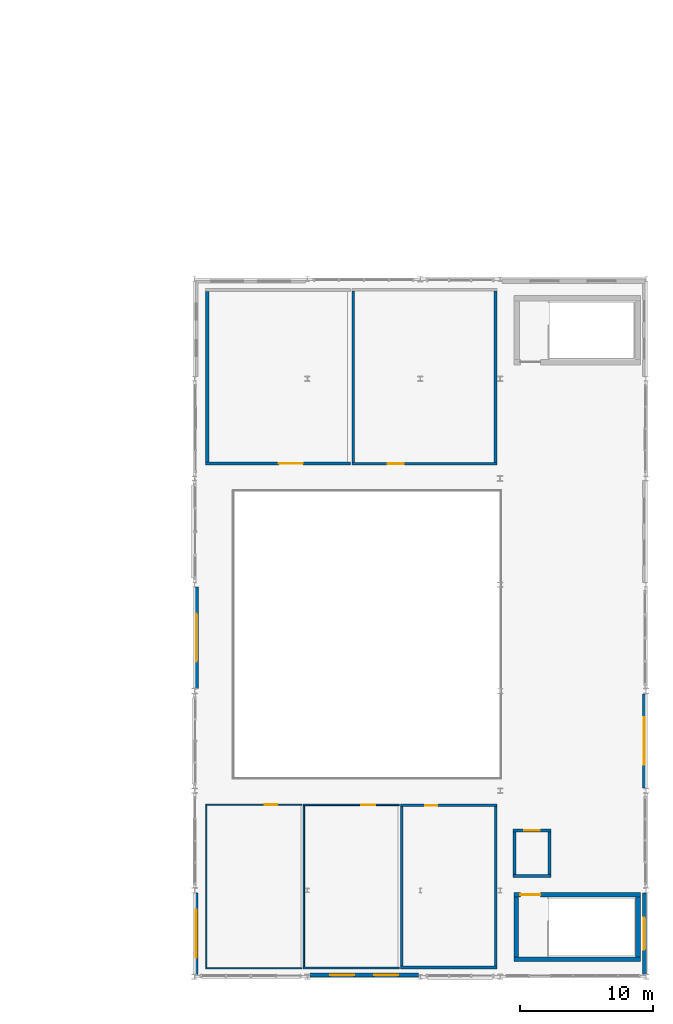
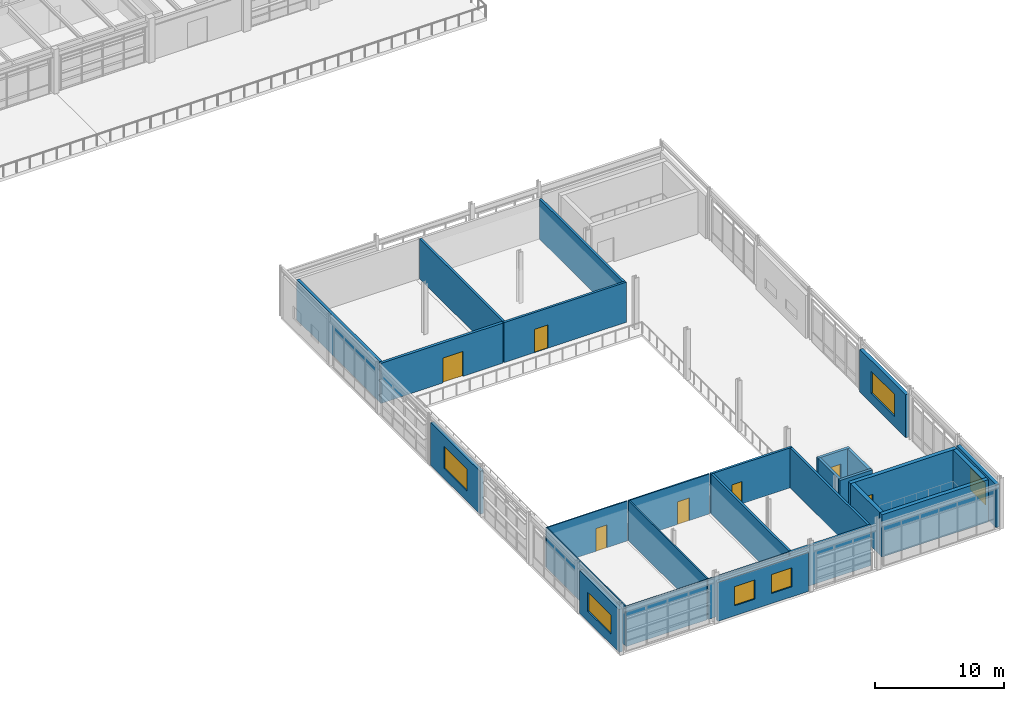
# One storey, part 49 of 56: 28 walls, 7 doors, 6 windows, 13 openings.
"""IFC4 building model written with IfcOpenShell, lengths in metres."""

from ifc_helpers import new_model, si_unit, direction, frame, frame_2d, origin, place, context, subcontext, project, spatial, rectangle, extrude, material, layer, layer_set, type_object, element, fill, save


model = new_model("IFC4")

# Units and contexts
model_context = context("Model", 3, precision=1e-05, world=origin(), true_north=direction((0.0, 1.0)))
body_context = subcontext(model_context, "Body", "Model", "MODEL_VIEW")
ifc_project = project(units=[si_unit("LENGTHUNIT", "METRE"), si_unit("AREAUNIT", "SQUARE_METRE"), si_unit("VOLUMEUNIT", "CUBIC_METRE"), si_unit("PLANEANGLEUNIT", "RADIAN"), si_unit("MASSUNIT", "GRAM", prefix="KILO"), si_unit("THERMODYNAMICTEMPERATUREUNIT", "KELVIN"), si_unit("POWERUNIT", "WATT")], contexts=[model_context])

# Site, building, storey
site_placement = place(None, origin())
site = spatial("IfcSite", under=ifc_project, at=site_placement, CompositionType="ELEMENT")
building_placement = place(site_placement, origin())
building = spatial("IfcBuilding", under=site, at=building_placement, Name="Tepalcoro Natatorium and Aquatics Centre", CompositionType="ELEMENT")
storey_placement = place(building_placement, frame((0.0, 0.0, 14.800048828125)))
storey = spatial("IfcBuildingStorey", under=building, at=storey_placement, Name="L03", CompositionType="ELEMENT", Elevation=14.800048828125)

# Wall, openings, windows
ifc_material_1 = material(Name="Precast Concrete C45/55 (fc 45 MPa)", Category="concrete")
ifc_layer_1 = layer(ifc_material_1, 0.284912109375)
ifc_layer_set_1 = layer_set([ifc_layer_1], Name="Precast Concrete C45/55 (fc 45 MPa)")
wall_type_1 = type_object("IfcWallType", Name="WL_EXT_INSUL_280", PredefinedType="SOLIDWALL", material=ifc_layer_set_1)
wall_1_placement = place(storey_placement, frame((150.70458984375, 6.642578125, 0.0), z_axis=(0.0, 0.0, 1.0), x_axis=(1.0, 0.0, 0.0)))
wall_1 = element("IfcWall", 1, at=wall_1_placement, inside=storey, type_object=wall_type_1, Name="V2 L03 S Volcanic Basalt Envelope Wall", PredefinedType="SOLIDWALL", context=body_context, shape_type="SweptSolid", body=[
    extrude(rectangle(XDim=8.136474609375, YDim=0.284912109375, at=frame_2d((4.068359375, 0.0))), origin(), (0.0, 0.0, 1.0), 3.683837890625),
])
opening_1_placement = place(wall_1_placement, frame((1.51220703125, 0.0, 0.949951171875)))
opening_1 = element("IfcOpeningElement", 2, at=opening_1_placement, cuts=wall_1, Name="Opening W0044A", PredefinedType="OPENING", context=body_context, shape_type="SweptSolid", body=[
    extrude(rectangle(XDim=1.800048828125, YDim=1.800048828125, at=frame_2d((0.89990234375, 0.89990234375))), frame((0.0, 0.154296875, 0.0), z_axis=(0.0, -1.0, 0.0), x_axis=(1.0, 0.0, 0.0)), (0.0, 0.0, 1.0), 0.308837890625),
])
opening_2_placement = place(wall_1_placement, frame((4.82421875, 0.0, 0.949951171875)))
opening_2 = element("IfcOpeningElement", 3, at=opening_2_placement, cuts=wall_1, Name="Opening W0044B", PredefinedType="OPENING", context=body_context, shape_type="SweptSolid", body=[
    extrude(rectangle(XDim=1.800048828125, YDim=1.800048828125, at=frame_2d((0.89990234375, 0.89990234375))), frame((0.0, 0.154296875, 0.0), z_axis=(0.0, -1.0, 0.0), x_axis=(1.0, 0.0, 0.0)), (0.0, 0.0, 1.0), 0.308837890625),
])
ifc_material_2 = material(Name="Solar-Control Bronze Tempered Low-E Double Glazing", Category="glass")
window_type_1 = type_object("IfcWindowType", Name="WN_180x180", PartitioningType="SINGLE_PANEL", PredefinedType="WINDOW", material=ifc_material_2)
window_1_placement = place(opening_1_placement, origin())
window_1 = element("IfcWindow", 4, at=window_1_placement, inside=storey, type_object=window_type_1, Name="Exterior Thermal Window WN_180x180", OverallHeight=1.800048828125, OverallWidth=1.800048828125, PartitioningType="SINGLE_PANEL", PredefinedType="WINDOW", context=body_context, shape_type="SweptSolid", body=[
    extrude(rectangle(XDim=1.800048828125, YDim=1.800048828125, at=frame_2d((0.89990234375, 0.89990234375))), frame((0.0, 0.030029296875, 0.0), z_axis=(0.0, -1.0, 0.0), x_axis=(1.0, 0.0, 0.0)), (0.0, 0.0, 1.0), 0.06005859375),
])
fill(opening_1, window_1)
window_2_placement = place(opening_2_placement, origin())
window_2 = element("IfcWindow", 5, at=window_2_placement, inside=storey, type_object=window_type_1, Name="Exterior Thermal Window WN_180x180", OverallHeight=1.800048828125, OverallWidth=1.800048828125, PartitioningType="SINGLE_PANEL", PredefinedType="WINDOW", context=body_context, shape_type="SweptSolid", body=[
    extrude(rectangle(XDim=1.800048828125, YDim=1.800048828125, at=frame_2d((0.89990234375, 0.89990234375))), frame((0.0, 0.030029296875, 0.0), z_axis=(0.0, -1.0, 0.0), x_axis=(1.0, 0.0, 0.0)), (0.0, 0.0, 1.0), 0.06005859375),
])
fill(opening_2, window_2)

# Wall, opening, window
wall_2_placement = place(storey_placement, frame((142.142578125, 6.68798828125, 0.0), z_axis=(0.0, 0.0, 1.0), x_axis=(0.0, 1.0, 0.0)))
wall_2 = element("IfcWall", 6, at=wall_2_placement, inside=storey, type_object=wall_type_1, Name="V2 L03 W Volcanic Basalt Envelope Wall", PredefinedType="SOLIDWALL", context=body_context, shape_type="SweptSolid", body=[
    extrude(rectangle(XDim=6.1201171875, YDim=0.284912109375, at=frame_2d((3.06005859375, 0.0))), origin(), (0.0, 0.0, 1.0), 4.050048828125),
])
opening_3_placement = place(wall_2_placement, frame((1.260009765625, 0.0, 0.949951171875)))
opening_3 = element("IfcOpeningElement", 7, at=opening_3_placement, cuts=wall_2, Name="Opening W0047", PredefinedType="OPENING", context=body_context, shape_type="SweptSolid", body=[
    extrude(rectangle(XDim=3.60009765625, YDim=1.800048828125, at=frame_2d((1.800048828125, 0.89990234375))), frame((0.0, 0.154296875, 0.0), z_axis=(0.0, -1.0, 0.0), x_axis=(1.0, 0.0, 0.0)), (0.0, 0.0, 1.0), 0.308837890625),
])
window_type_2 = type_object("IfcWindowType", Name="WN_360x180", PartitioningType="SINGLE_PANEL", PredefinedType="WINDOW", material=ifc_material_2)
window_3_placement = place(opening_3_placement, origin())
window_3 = element("IfcWindow", 8, at=window_3_placement, inside=storey, type_object=window_type_2, Name="Exterior Thermal Window WN_360x180", OverallHeight=1.800048828125, OverallWidth=3.60009765625, PartitioningType="SINGLE_PANEL", PredefinedType="WINDOW", context=body_context, shape_type="SweptSolid", body=[
    extrude(rectangle(XDim=3.60009765625, YDim=1.800048828125, at=frame_2d((1.800048828125, 0.89990234375))), frame((0.0, 0.030029296875, 0.0), z_axis=(0.0, -1.0, 0.0), x_axis=(1.0, 0.0, 0.0)), (0.0, 0.0, 1.0), 0.06005859375),
])
fill(opening_3, window_3)

ifc_material_3 = material(Name="Jalisco Cantera Rosa Volcanic Tuff Ashlar Masonry", Category="masonry")
ifc_layer_2 = layer(ifc_material_3, 0.304931640625)
ifc_layer_set_2 = layer_set([ifc_layer_2], Name="Jalisco Cantera Rosa Volcanic Tuff Ashlar Masonry")
wall_type_2 = type_object("IfcWallType", Name="WL_EXT_TERRACOTTA_300", PredefinedType="SOLIDWALL", material=ifc_layer_set_2)
wall_3_placement = place(storey_placement, frame((142.152587890625, 28.20361328125, 0.0), z_axis=(0.0, 0.0, 1.0), x_axis=(0.0, 1.0, 0.0)))
wall_3 = element("IfcWall", 9, at=wall_3_placement, inside=storey, type_object=wall_type_2, Name="V2 L03 W Volcanic Basalt Envelope Wall", PredefinedType="SOLIDWALL", context=body_context, shape_type="SweptSolid", body=[
    extrude(rectangle(XDim=7.638916015625, YDim=0.304931640625, at=frame_2d((3.8193359375, 0.0))), origin(), (0.0, 0.0, 1.0), 4.050048828125),
])
opening_4_placement = place(wall_3_placement, frame((2.01953125, 0.0, 0.949951171875)))
opening_4 = element("IfcOpeningElement", 10, at=opening_4_placement, cuts=wall_3, Name="Opening W0048", PredefinedType="OPENING", context=body_context, shape_type="SweptSolid", body=[
    extrude(rectangle(XDim=3.60009765625, YDim=2.10009765625, at=frame_2d((1.800048828125, 1.050048828125))), frame((0.0, 0.16455078125, 0.0), z_axis=(0.0, -1.0, 0.0), x_axis=(1.0, 0.0, 0.0)), (0.0, 0.0, 1.0), 0.328857421875),
])
window_type_3 = type_object("IfcWindowType", Name="WN_360x210", PartitioningType="SINGLE_PANEL", PredefinedType="WINDOW", material=ifc_material_2)
window_4_placement = place(opening_4_placement, origin())
window_4 = element("IfcWindow", 11, at=window_4_placement, inside=storey, type_object=window_type_3, Name="Exterior Thermal Window WN_360x210", OverallHeight=2.10009765625, OverallWidth=3.60009765625, PartitioningType="SINGLE_PANEL", PredefinedType="WINDOW", context=body_context, shape_type="SweptSolid", body=[
    extrude(rectangle(XDim=3.60009765625, YDim=2.10009765625, at=frame_2d((1.800048828125, 1.050048828125))), frame((0.0, 0.030029296875, 0.0), z_axis=(0.0, -1.0, 0.0), x_axis=(1.0, 0.0, 0.0)), (0.0, 0.0, 1.0), 0.06005859375),
])
fill(opening_4, window_4)

wall_4_placement = place(storey_placement, frame((175.847412109375, 6.68798828125, 0.0), z_axis=(0.0, 0.0, 1.0), x_axis=(0.0, 1.0, 0.0)))
wall_4 = element("IfcWall", 12, at=wall_4_placement, inside=storey, type_object=wall_type_2, Name="V2 L03 E Volcanic Basalt Envelope Wall", PredefinedType="SOLIDWALL", context=body_context, shape_type="SweptSolid", body=[
    extrude(rectangle(XDim=6.1201171875, YDim=0.304931640625, at=frame_2d((3.06005859375, 0.0))), origin(), (0.0, 0.0, 1.0), 4.050048828125),
])
opening_5_placement = place(wall_4_placement, frame((1.860107421875, 0.0, 0.949951171875)))
opening_5 = element("IfcOpeningElement", 13, at=opening_5_placement, cuts=wall_4, Name="Opening W0050", PredefinedType="OPENING", context=body_context, shape_type="SweptSolid", body=[
    extrude(rectangle(XDim=2.39990234375, YDim=2.10009765625, at=frame_2d((1.199951171875, 1.050048828125))), frame((0.0, 0.16455078125, 0.0), z_axis=(0.0, -1.0, 0.0), x_axis=(1.0, 0.0, 0.0)), (0.0, 0.0, 1.0), 0.328857421875),
])
window_type_4 = type_object("IfcWindowType", Name="WN_240x210", PartitioningType="SINGLE_PANEL", PredefinedType="WINDOW", material=ifc_material_2)
window_5_placement = place(opening_5_placement, origin())
window_5 = element("IfcWindow", 14, at=window_5_placement, inside=storey, type_object=window_type_4, Name="Exterior Thermal Window WN_240x210", OverallHeight=2.10009765625, OverallWidth=2.39990234375, PartitioningType="SINGLE_PANEL", PredefinedType="WINDOW", context=body_context, shape_type="SweptSolid", body=[
    extrude(rectangle(XDim=2.39990234375, YDim=2.10009765625, at=frame_2d((1.199951171875, 1.050048828125))), frame((0.0, 0.030029296875, 0.0), z_axis=(0.0, -1.0, 0.0), x_axis=(1.0, 0.0, 0.0)), (0.0, 0.0, 1.0), 0.06005859375),
])
fill(opening_5, window_5)

wall_5_placement = place(storey_placement, frame((175.847412109375, 20.697021484375, 0.0), z_axis=(0.0, 0.0, 1.0), x_axis=(0.0, 1.0, 0.0)))
wall_5 = element("IfcWall", 15, at=wall_5_placement, inside=storey, type_object=wall_type_2, Name="V2 L03 E Volcanic Basalt Envelope Wall", PredefinedType="SOLIDWALL", context=body_context, shape_type="SweptSolid", body=[
    extrude(rectangle(XDim=7.099365234375, YDim=0.304931640625, at=frame_2d((3.5498046875, 0.0))), origin(), (0.0, 0.0, 1.0), 4.050048828125),
])
opening_6_placement = place(wall_5_placement, frame((1.749755859375, 0.0, 0.949951171875)))
opening_6 = element("IfcOpeningElement", 16, at=opening_6_placement, cuts=wall_5, Name="Opening W0051", PredefinedType="OPENING", context=body_context, shape_type="SweptSolid", body=[
    extrude(rectangle(XDim=3.60009765625, YDim=2.10009765625, at=frame_2d((1.800048828125, 1.050048828125))), frame((0.0, 0.16455078125, 0.0), z_axis=(0.0, -1.0, 0.0), x_axis=(1.0, 0.0, 0.0)), (0.0, 0.0, 1.0), 0.328857421875),
])
window_6_placement = place(opening_6_placement, origin())
window_6 = element("IfcWindow", 17, at=window_6_placement, inside=storey, type_object=window_type_3, Name="Exterior Thermal Window WN_360x210", OverallHeight=2.10009765625, OverallWidth=3.60009765625, PartitioningType="SINGLE_PANEL", PredefinedType="WINDOW", context=body_context, shape_type="SweptSolid", body=[
    extrude(rectangle(XDim=3.60009765625, YDim=2.10009765625, at=frame_2d((1.800048828125, 1.050048828125))), frame((0.0, 0.030029296875, 0.0), z_axis=(0.0, -1.0, 0.0), x_axis=(1.0, 0.0, 0.0)), (0.0, 0.0, 1.0), 0.06005859375),
])
fill(opening_6, window_6)

# Wall
ifc_material_4 = material(Name="Moisture-Resistant Acoustic Gypsum Drywall on Cold-Formed Metal Studs")
ifc_layer_3 = layer(ifc_material_4, 0.10009765625)
ifc_layer_set_3 = layer_set([ifc_layer_3], Name="Moisture-Resistant Acoustic Gypsum Drywall on Cold-Formed Metal Studs")
wall_type_3 = type_object("IfcWallType", Name="WL_PART_100", PredefinedType="PARTITIONING", material=ifc_layer_set_3)
wall_6_placement = place(storey_placement, frame((142.840087890625, 7.14990234375, 0.0), z_axis=(0.0, 0.0, 1.0), x_axis=(1.0, 0.0, 0.0)))
element("IfcWall", 18, at=wall_6_placement, inside=storey, type_object=wall_type_3, Name="High-Diving Aerial Spotting & Rigging Control Deck Partition S", PredefinedType="PARTITIONING", context=body_context, shape_type="SweptSolid", body=[
    extrude(rectangle(XDim=7.2529296875, YDim=0.10009765625, at=frame_2d((3.62646484375, 0.0))), origin(), (0.0, 0.0, 1.0), 3.784912109375),
])

# Wall, opening, door
wall_7_placement = place(storey_placement, frame((142.840087890625, 19.449951171875, 0.0), z_axis=(0.0, 0.0, 1.0), x_axis=(1.0, 0.0, 0.0)))
wall_7 = element("IfcWall", 19, at=wall_7_placement, inside=storey, type_object=wall_type_3, Name="High-Diving Aerial Spotting & Rigging Control Deck Partition N", PredefinedType="PARTITIONING", context=body_context, shape_type="SweptSolid", body=[
    extrude(rectangle(XDim=7.2529296875, YDim=0.10009765625, at=frame_2d((3.62646484375, 0.0))), origin(), (0.0, 0.0, 1.0), 3.784912109375),
])
opening_7_placement = place(wall_7_placement, frame((4.4521484375, 0.0, 0.0)))
opening_7 = element("IfcOpeningElement", 20, at=opening_7_placement, cuts=wall_7, Name="Opening D0177", PredefinedType="OPENING", context=body_context, shape_type="SweptSolid", body=[
    extrude(rectangle(XDim=0.949951171875, YDim=2.14990234375, at=frame_2d((0.47509765625, 1.074951171875))), frame((0.0, 0.06201171875, 0.0), z_axis=(0.0, -1.0, 0.0), x_axis=(1.0, 0.0, 0.0)), (0.0, 0.0, 1.0), 0.1240234375),
])
ifc_material_5 = material(Name="Solid-Core Moisture-Sealed Oak Timber Leaf in Aluminium Frame", Category="wood")
door_type_1 = type_object("IfcDoorType", Name="DR_095x215_OFFICE", OperationType="NOTDEFINED", PredefinedType="DOOR", material=ifc_material_5)
door_1_placement = place(opening_7_placement, frame((0.949951171875, 0.0, 0.0), z_axis=(0.0, 0.0, 1.0), x_axis=(-1.0, 0.0, 0.0)))
door_1 = element("IfcDoor", 21, at=door_1_placement, inside=storey, type_object=door_type_1, Name="High-Diving Aerial Spotting & Rigging Control Deck Door", OperationType="SINGLE_SWING_RIGHT", OverallHeight=2.14990234375, OverallWidth=0.949951171875, PredefinedType="DOOR", context=body_context, shape_type="SweptSolid", body=[
    extrude(rectangle(XDim=0.949951171875, YDim=2.14990234375, at=frame_2d((0.47509765625, 1.074951171875))), frame((0.0, 0.02490234375, 0.0), z_axis=(0.0, -1.0, 0.0), x_axis=(1.0, 0.0, 0.0)), (0.0, 0.0, 1.0), 0.050048828125),
])
fill(opening_7, door_1)

# Walls
wall_8_placement = place(storey_placement, frame((142.889892578125, 7.199951171875, 0.0), z_axis=(0.0, 0.0, 1.0), x_axis=(0.0, 1.0, 0.0)))
element("IfcWall", 22, at=wall_8_placement, inside=storey, type_object=wall_type_3, Name="High-Diving Aerial Spotting & Rigging Control Deck Partition W", PredefinedType="PARTITIONING", context=body_context, shape_type="SweptSolid", body=[
    extrude(rectangle(XDim=12.199951171875, YDim=0.10009765625, at=frame_2d((6.10009765625, 0.0))), origin(), (0.0, 0.0, 1.0), 3.784912109375),
])
ifc_layer_4 = layer(ifc_material_4, 0.125)
ifc_layer_set_4 = layer_set([ifc_layer_4], Name="Moisture-Resistant Acoustic Gypsum Drywall on Cold-Formed Metal Studs")
wall_type_4 = type_object("IfcWallType", Name="WL_PART_125", PredefinedType="PARTITIONING", material=ifc_layer_set_4)
wall_9_placement = place(storey_placement, frame((150.173095703125, 7.16259765625, 0.0), z_axis=(0.0, 0.0, 1.0), x_axis=(1.0, 0.0, 0.0)))
element("IfcWall", 23, at=wall_9_placement, inside=storey, type_object=wall_type_4, Name="Diving Wing Roof-Truss Lighting & Acoustic Control Partition S", PredefinedType="PARTITIONING", context=body_context, shape_type="SweptSolid", body=[
    extrude(rectangle(XDim=7.25390625, YDim=0.125, at=frame_2d((3.626953125, 0.0))), origin(), (0.0, 0.0, 1.0), 3.784912109375),
])

# Wall, opening, door
wall_10_placement = place(storey_placement, frame((150.173095703125, 19.4375, 0.0), z_axis=(0.0, 0.0, 1.0), x_axis=(1.0, 0.0, 0.0)))
wall_10 = element("IfcWall", 24, at=wall_10_placement, inside=storey, type_object=wall_type_4, Name="Diving Wing Roof-Truss Lighting & Acoustic Control Partition N", PredefinedType="PARTITIONING", context=body_context, shape_type="SweptSolid", body=[
    extrude(rectangle(XDim=7.25390625, YDim=0.125, at=frame_2d((3.626953125, 0.0))), origin(), (0.0, 0.0, 1.0), 3.784912109375),
])
opening_8_placement = place(wall_10_placement, frame((4.3779296875, 0.0, 0.0)))
opening_8 = element("IfcOpeningElement", 25, at=opening_8_placement, cuts=wall_10, Name="Opening D0178", PredefinedType="OPENING", context=body_context, shape_type="SweptSolid", body=[
    extrude(rectangle(XDim=1.050048828125, YDim=2.14990234375, at=frame_2d((0.52490234375, 1.074951171875))), frame((0.0, 0.074462890625, 0.0), z_axis=(0.0, -1.0, 0.0), x_axis=(1.0, 0.0, 0.0)), (0.0, 0.0, 1.0), 0.14892578125),
])
door_type_2 = type_object("IfcDoorType", Name="DR_105x215_ACC", OperationType="NOTDEFINED", PredefinedType="DOOR", material=ifc_material_5)
door_2_placement = place(opening_8_placement, frame((1.050048828125, 0.0, 0.0), z_axis=(0.0, 0.0, 1.0), x_axis=(-1.0, 0.0, 0.0)))
door_2 = element("IfcDoor", 26, at=door_2_placement, inside=storey, type_object=door_type_2, Name="Diving Wing Roof-Truss Lighting & Acoustic Control Door", OperationType="SINGLE_SWING_LEFT", OverallHeight=2.14990234375, OverallWidth=1.050048828125, PredefinedType="DOOR", context=body_context, shape_type="SweptSolid", body=[
    extrude(rectangle(XDim=1.050048828125, YDim=2.14990234375, at=frame_2d((0.52490234375, 1.074951171875))), frame((0.0, 0.02490234375, 0.0), z_axis=(0.0, -1.0, 0.0), x_axis=(1.0, 0.0, 0.0)), (0.0, 0.0, 1.0), 0.050048828125),
])
fill(opening_8, door_2)

# Walls
wall_11_placement = place(storey_placement, frame((150.235595703125, 7.22509765625, 0.0), z_axis=(0.0, 0.0, 1.0), x_axis=(0.0, 1.0, 0.0)))
element("IfcWall", 27, at=wall_11_placement, inside=storey, type_object=wall_type_4, Name="Diving Wing Roof-Truss Lighting & Acoustic Control Partition W", PredefinedType="PARTITIONING", context=body_context, shape_type="SweptSolid", body=[
    extrude(rectangle(XDim=12.14990234375, YDim=0.125, at=frame_2d((6.074951171875, 0.0))), origin(), (0.0, 0.0, 1.0), 3.784912109375),
])
ifc_material_6 = material(Name="Ceramic-Tiled Moisture-Resistant Masonry Blockwork", Category="masonry")
ifc_layer_5 = layer(ifc_material_6, 0.199951171875)
ifc_layer_set_5 = layer_set([ifc_layer_5], Name="Ceramic-Tiled Moisture-Resistant Masonry Blockwork")
wall_type_5 = type_object("IfcWallType", Name="WL_PLUMB_200", PredefinedType="PLUMBINGWALL", material=ifc_layer_set_5)
wall_12_placement = place(storey_placement, frame((157.507080078125, 7.199951171875, 0.0), z_axis=(0.0, 0.0, 1.0), x_axis=(1.0, 0.0, 0.0)))
element("IfcWall", 28, at=wall_12_placement, inside=storey, type_object=wall_type_5, Name="L03 Diving Technical Staff & Accessible WC Partition S", PredefinedType="PLUMBINGWALL", context=body_context, shape_type="SweptSolid", body=[
    extrude(rectangle(XDim=7.2529296875, YDim=0.199951171875, at=frame_2d((3.62646484375, 0.0))), origin(), (0.0, 0.0, 1.0), 3.784912109375),
])

# Wall, opening, door
wall_13_placement = place(storey_placement, frame((157.507080078125, 19.39990234375, 0.0), z_axis=(0.0, 0.0, 1.0), x_axis=(1.0, 0.0, 0.0)))
wall_13 = element("IfcWall", 29, at=wall_13_placement, inside=storey, type_object=wall_type_5, Name="L03 Diving Technical Staff & Accessible WC Partition N", PredefinedType="PLUMBINGWALL", context=body_context, shape_type="SweptSolid", body=[
    extrude(rectangle(XDim=7.2529296875, YDim=0.199951171875, at=frame_2d((3.62646484375, 0.0))), origin(), (0.0, 0.0, 1.0), 3.784912109375),
])
opening_9_placement = place(wall_13_placement, frame((1.86328125, 0.0, 0.0)))
opening_9 = element("IfcOpeningElement", 30, at=opening_9_placement, cuts=wall_13, Name="Opening D0179", PredefinedType="OPENING", context=body_context, shape_type="SweptSolid", body=[
    extrude(rectangle(XDim=0.89990234375, YDim=2.10009765625, at=frame_2d((0.449951171875, 1.050048828125))), frame((0.0, 0.11181640625, 0.0), z_axis=(0.0, -1.0, 0.0), x_axis=(1.0, 0.0, 0.0)), (0.0, 0.0, 1.0), 0.223876953125),
])
door_type_3 = type_object("IfcDoorType", Name="DR_095x215_WC", OperationType="NOTDEFINED", PredefinedType="DOOR", material=ifc_material_5)
door_3_placement = place(opening_9_placement, frame((0.89990234375, 0.0, 0.0), z_axis=(0.0, 0.0, 1.0), x_axis=(-1.0, 0.0, 0.0)))
door_3 = element("IfcDoor", 31, at=door_3_placement, inside=storey, type_object=door_type_3, Name="L03 Diving Technical Staff & Accessible WC Door", OperationType="SINGLE_SWING_RIGHT", OverallHeight=2.10009765625, OverallWidth=0.89990234375, PredefinedType="DOOR", context=body_context, shape_type="SweptSolid", body=[
    extrude(rectangle(XDim=0.89990234375, YDim=2.10009765625, at=frame_2d((0.449951171875, 1.050048828125))), frame((0.0, 0.02490234375, 0.0), z_axis=(0.0, -1.0, 0.0), x_axis=(1.0, 0.0, 0.0)), (0.0, 0.0, 1.0), 0.050048828125),
])
fill(opening_9, door_3)

# Walls
for number, where, z_axis, x_axis, name in (
    (32, (164.659912109375, 7.300048828125, 0.0), (0.0, 0.0, 1.0), (0.0, 1.0, 0.0), "L03 Diving Technical Staff & Accessible WC Partition E"),
    (33, (157.60693359375, 7.300048828125, 0.0), (0.0, 0.0, 1.0), (0.0, 1.0, 0.0), "L03 Diving Technical Staff & Accessible WC Partition W"),
):
    element("IfcWall", number, at=place(storey_placement, frame(where, z_axis=z_axis, x_axis=x_axis)), inside=storey, type_object=wall_type_5, Name=name, PredefinedType="PLUMBINGWALL", context=body_context, shape_type="SweptSolid", body=[
        extrude(rectangle(XDim=12.0, YDim=0.199951171875, at=frame_2d((6.0, 0.0))), origin(), (0.0, 0.0, 1.0), 3.784912109375),
    ])
ifc_material_7 = material(Name="Concrete C40/50 (fc 40 MPa)", Category="concrete")
ifc_layer_6 = layer(ifc_material_7, 0.239990234375)
ifc_layer_set_6 = layer_set([ifc_layer_6], Name="Concrete C40/50 (fc 40 MPa)")
wall_type_6 = type_object("IfcWallType", Name="WL_SHAFT_240", PredefinedType="SOLIDWALL", material=ifc_layer_set_6)
wall_14_placement = place(storey_placement, frame((165.9599609375, 14.080078125, 0.0), z_axis=(0.0, 0.0, 1.0), x_axis=(1.0, 0.0, 0.0)))
element("IfcWall", 34, at=wall_14_placement, inside=storey, type_object=wall_type_6, Name="LF02 Lift Shaft Wall S L03", PredefinedType="SOLIDWALL", context=body_context, shape_type="SweptSolid", body=[
    extrude(rectangle(XDim=2.880126953125, YDim=0.239990234375, at=frame_2d((1.43994140625, 0.0))), origin(), (0.0, 0.0, 1.0), 3.449951171875),
])

# Wall, opening, door
wall_15_placement = place(storey_placement, frame((165.9599609375, 17.52001953125, 0.0), z_axis=(0.0, 0.0, 1.0), x_axis=(1.0, 0.0, 0.0)))
wall_15 = element("IfcWall", 35, at=wall_15_placement, inside=storey, type_object=wall_type_6, Name="LF02 Lift Shaft Wall N L03", PredefinedType="SOLIDWALL", context=body_context, shape_type="SweptSolid", body=[
    extrude(rectangle(XDim=2.880126953125, YDim=0.239990234375, at=frame_2d((1.43994140625, 0.0))), origin(), (0.0, 0.0, 1.0), 3.449951171875),
])
opening_10_placement = place(wall_15_placement, frame((0.840087890625, 0.0, 0.0)))
opening_10 = element("IfcOpeningElement", 36, at=opening_10_placement, cuts=wall_15, Name="Opening LD-LF02-L03", PredefinedType="OPENING", context=body_context, shape_type="SweptSolid", body=[
    extrude(rectangle(XDim=1.199951171875, YDim=2.199951171875, at=frame_2d((0.60009765625, 1.10009765625))), frame((0.0, 0.1318359375, 0.0), z_axis=(0.0, -1.0, 0.0), x_axis=(1.0, 0.0, 0.0)), (0.0, 0.0, 1.0), 0.263916015625),
])
ifc_material_8 = material(Name="Marine-Grade Brushed Stainless Steel AISI 316L", Category="steel")
door_type_4 = type_object("IfcDoorType", Name="DR_120x220_LIFT", OperationType="NOTDEFINED", PredefinedType="USERDEFINED", material=ifc_material_8)
door_4_placement = place(opening_10_placement, origin())
door_4 = element("IfcDoor", 37, at=door_4_placement, inside=storey, type_object=door_type_4, Name="LF02 Lift Landing Sliding Door (L03)", ObjectType="SLIDING LANDING DOOR", OperationType="SLIDING_TO_LEFT", OverallHeight=2.199951171875, OverallWidth=1.199951171875, PredefinedType="USERDEFINED", context=body_context, shape_type="SweptSolid", body=[
    extrude(rectangle(XDim=1.199951171875, YDim=2.199951171875, at=frame_2d((0.60009765625, 1.10009765625))), frame((0.0, 0.02490234375, 0.0), z_axis=(0.0, -1.0, 0.0), x_axis=(1.0, 0.0, 0.0)), (0.0, 0.0, 1.0), 0.050048828125),
])
fill(opening_10, door_4)

# Walls
for number, where, z_axis, x_axis, name in (
    (38, (166.080078125, 14.199951171875, 0.0), (0.0, 0.0, 1.0), (0.0, 1.0, 0.0), "LF02 Lift Shaft Wall W L03"),
    (39, (168.719970703125, 14.199951171875, 0.0), (0.0, 0.0, 1.0), (0.0, 1.0, 0.0), "LF02 Lift Shaft Wall E L03"),
):
    element("IfcWall", number, at=place(storey_placement, frame(where, z_axis=z_axis, x_axis=x_axis)), inside=storey, type_object=wall_type_6, Name=name, PredefinedType="SOLIDWALL", context=body_context, shape_type="SweptSolid", body=[
        extrude(rectangle(XDim=3.199951171875, YDim=0.239990234375, at=frame_2d((1.60009765625, 0.0))), origin(), (0.0, 0.0, 1.0), 3.449951171875),
    ])
ifc_layer_7 = layer(ifc_material_7, 0.35009765625)
ifc_layer_set_7 = layer_set([ifc_layer_7], Name="Concrete C40/50 (fc 40 MPa)")
wall_type_7 = type_object("IfcWallType", Name="WL_SHEAR_350", PredefinedType="SHEAR", material=ifc_layer_set_7)
wall_16_placement = place(storey_placement, frame((166.050048828125, 7.824951171875, 0.0), z_axis=(0.0, 0.0, 1.0), x_axis=(1.0, 0.0, 0.0)))
element("IfcWall", 40, at=wall_16_placement, inside=storey, type_object=wall_type_7, Name="ST03 Core Shear Wall S L03", PredefinedType="SHEAR", context=body_context, shape_type="SweptSolid", body=[
    extrude(rectangle(XDim=9.5, YDim=0.35009765625, at=frame_2d((4.75, 0.0))), origin(), (0.0, 0.0, 1.0), 4.0),
])

# Wall, opening, door
wall_17_placement = place(storey_placement, frame((166.050048828125, 12.675048828125, 0.0), z_axis=(0.0, 0.0, 1.0), x_axis=(1.0, 0.0, 0.0)))
wall_17 = element("IfcWall", 41, at=wall_17_placement, inside=storey, type_object=wall_type_7, Name="ST03 Core Shear Wall N L03", PredefinedType="SHEAR", context=body_context, shape_type="SweptSolid", body=[
    extrude(rectangle(XDim=9.5, YDim=0.35009765625, at=frame_2d((4.75, 0.0))), origin(), (0.0, 0.0, 1.0), 4.0),
])
opening_11_placement = place(wall_17_placement, frame((0.47998046875, 0.0, 0.0)))
opening_11 = element("IfcOpeningElement", 42, at=opening_11_placement, cuts=wall_17, Name="Opening D0015", PredefinedType="OPENING", context=body_context, shape_type="SweptSolid", body=[
    extrude(rectangle(XDim=1.5, YDim=2.300048828125, at=frame_2d((0.75, 1.14990234375))), frame((0.0, 0.18701171875, 0.0), z_axis=(0.0, -1.0, 0.0), x_axis=(1.0, 0.0, 0.0)), (0.0, 0.0, 1.0), 0.3740234375),
])
ifc_material_9 = material(Name="Galvanised Steel Insulated Acoustic Fire Door Assembly", Category="steel")
door_type_5 = type_object("IfcDoorType", Name="DR_150x230_FD60", OperationType="NOTDEFINED", PredefinedType="DOOR", material=ifc_material_9)
door_5_placement = place(opening_11_placement, frame((1.5, 0.0, 0.0), z_axis=(0.0, 0.0, 1.0), x_axis=(-1.0, 0.0, 0.0)))
door_5 = element("IfcDoor", 43, at=door_5_placement, inside=storey, type_object=door_type_5, Name="ST03 Fire Stair Door (L03)", OperationType="DOUBLE_DOOR_SINGLE_SWING", OverallHeight=2.300048828125, OverallWidth=1.5, PredefinedType="DOOR", context=body_context, shape_type="SweptSolid", body=[
    extrude(rectangle(XDim=1.5, YDim=2.300048828125, at=frame_2d((0.75, 1.14990234375))), frame((0.0, 0.02490234375, 0.0), z_axis=(0.0, -1.0, 0.0), x_axis=(1.0, 0.0, 0.0)), (0.0, 0.0, 1.0), 0.050048828125),
])
fill(opening_11, door_5)

# Walls
for number, where, z_axis, x_axis, name in (
    (44, (166.22509765625, 8.0, 0.0), (0.0, 0.0, 1.0), (0.0, 1.0, 0.0), "ST03 Core Shear Wall W L03"),
    (45, (175.375, 8.0, 0.0), (0.0, 0.0, 1.0), (0.0, 1.0, 0.0), "ST03 Core Shear Wall E L03"),
):
    element("IfcWall", number, at=place(storey_placement, frame(where, z_axis=z_axis, x_axis=x_axis)), inside=storey, type_object=wall_type_7, Name=name, PredefinedType="SHEAR", context=body_context, shape_type="SweptSolid", body=[
        extrude(rectangle(XDim=4.5, YDim=0.35009765625, at=frame_2d((2.25, 0.0))), origin(), (0.0, 0.0, 1.0), 4.0),
    ])

# Wall, opening, door
ifc_material_10 = material(Name="Concrete C35/45 (fc 35 MPa)", Category="concrete")
ifc_layer_8 = layer(ifc_material_10, 0.205078125)
ifc_layer_set_8 = layer_set([ifc_layer_8], Name="Concrete C35/45 (fc 35 MPa)")
wall_type_8 = type_object("IfcWallType", Name="WL_SOLID_200_FR120", PredefinedType="SOLIDWALL", material=ifc_layer_set_8)
wall_18_placement = place(storey_placement, frame((153.840087890625, 45.1025390625, 0.0), z_axis=(0.0, 0.0, 1.0), x_axis=(1.0, 0.0, 0.0)))
wall_18 = element("IfcWall", 46, at=wall_18_placement, inside=storey, type_object=wall_type_8, Name="Overhead Scoreboard & Rigging Winch Store Partition S", PredefinedType="SOLIDWALL", context=body_context, shape_type="SweptSolid", body=[
    extrude(rectangle(XDim=10.919921875, YDim=0.205078125, at=frame_2d((5.4599609375, 0.0))), origin(), (0.0, 0.0, 1.0), 3.784912109375),
])
opening_12_placement = place(wall_18_placement, frame((2.705078125, 0.0, 0.0)))
opening_12 = element("IfcOpeningElement", 47, at=opening_12_placement, cuts=wall_18, Name="Opening D0181", PredefinedType="OPENING", context=body_context, shape_type="SweptSolid", body=[
    extrude(rectangle(XDim=1.199951171875, YDim=2.199951171875, at=frame_2d((0.60009765625, 1.10009765625))), frame((0.0, 0.114501953125, 0.0), z_axis=(0.0, -1.0, 0.0), x_axis=(1.0, 0.0, 0.0)), (0.0, 0.0, 1.0), 0.22900390625),
])
door_type_6 = type_object("IfcDoorType", Name="DR_120x220_FD60", OperationType="NOTDEFINED", PredefinedType="DOOR", material=ifc_material_9)
door_6_placement = place(opening_12_placement, origin())
door_6 = element("IfcDoor", 48, at=door_6_placement, inside=storey, type_object=door_type_6, Name="Overhead Scoreboard & Rigging Winch Store Door", OperationType="SINGLE_SWING_LEFT", OverallHeight=2.199951171875, OverallWidth=1.199951171875, PredefinedType="DOOR", context=body_context, shape_type="SweptSolid", body=[
    extrude(rectangle(XDim=1.199951171875, YDim=2.199951171875, at=frame_2d((0.60009765625, 1.10009765625))), frame((0.0, 0.02490234375, 0.0), z_axis=(0.0, -1.0, 0.0), x_axis=(1.0, 0.0, 0.0)), (0.0, 0.0, 1.0), 0.050048828125),
])
fill(opening_12, door_6)

# Walls
for number, where, z_axis, x_axis, name in (
    (49, (164.657470703125, 45.205078125, 0.0), (0.0, 0.0, 1.0), (0.0, 1.0, 0.0), "Overhead Scoreboard & Rigging Winch Store Partition E"),
    (50, (153.9423828125, 45.205078125, 0.0), (0.0, 0.0, 1.0), (0.0, 1.0, 0.0), "Overhead Scoreboard & Rigging Winch Store Partition W"),
):
    element("IfcWall", number, at=place(storey_placement, frame(where, z_axis=z_axis, x_axis=x_axis)), inside=storey, type_object=wall_type_8, Name=name, PredefinedType="SOLIDWALL", context=body_context, shape_type="SweptSolid", body=[
        extrude(rectangle(XDim=12.889892578125, YDim=0.205078125, at=frame_2d((6.44482421875, 0.0))), origin(), (0.0, 0.0, 1.0), 3.784912109375),
    ])

# Wall, opening, door
ifc_layer_9 = layer(ifc_material_10, 0.2451171875)
ifc_layer_set_9 = layer_set([ifc_layer_9], Name="Concrete C35/45 (fc 35 MPa)")
wall_type_9 = type_object("IfcWallType", Name="WL_SOLID_240_FR120", PredefinedType="SOLIDWALL", material=ifc_layer_set_9)
wall_19_placement = place(storey_placement, frame((142.840087890625, 45.12255859375, 0.0), z_axis=(0.0, 0.0, 1.0), x_axis=(1.0, 0.0, 0.0)))
wall_19 = element("IfcWall", 51, at=wall_19_placement, inside=storey, type_object=wall_type_9, Name="Diving Hall Smoke-Extract & Heat-Recovery AHU Room Partition S", PredefinedType="SOLIDWALL", context=body_context, shape_type="SweptSolid", body=[
    extrude(rectangle(XDim=10.919921875, YDim=0.2451171875, at=frame_2d((5.4599609375, 0.0))), origin(), (0.0, 0.0, 1.0), 3.784912109375),
])
opening_13_placement = place(wall_19_placement, frame((5.5224609375, 0.0, 0.0)))
opening_13 = element("IfcOpeningElement", 52, at=opening_13_placement, cuts=wall_19, Name="Opening D0180", PredefinedType="OPENING", context=body_context, shape_type="SweptSolid", body=[
    extrude(rectangle(XDim=1.800048828125, YDim=2.35009765625, at=frame_2d((0.89990234375, 1.175048828125))), frame((0.0, 0.134521484375, 0.0), z_axis=(0.0, -1.0, 0.0), x_axis=(1.0, 0.0, 0.0)), (0.0, 0.0, 1.0), 0.26904296875),
])
door_type_7 = type_object("IfcDoorType", Name="DR_180x240_PLANT", OperationType="NOTDEFINED", PredefinedType="DOOR", material=ifc_material_9)
door_7_placement = place(opening_13_placement, origin())
door_7 = element("IfcDoor", 53, at=door_7_placement, inside=storey, type_object=door_type_7, Name="Diving Hall Smoke-Extract & Heat-Recovery AHU Room Door", OperationType="DOUBLE_DOOR_SINGLE_SWING", OverallHeight=2.35009765625, OverallWidth=1.800048828125, PredefinedType="DOOR", context=body_context, shape_type="SweptSolid", body=[
    extrude(rectangle(XDim=1.800048828125, YDim=2.35009765625, at=frame_2d((0.89990234375, 1.175048828125))), frame((0.0, 0.02490234375, 0.0), z_axis=(0.0, -1.0, 0.0), x_axis=(1.0, 0.0, 0.0)), (0.0, 0.0, 1.0), 0.050048828125),
])
fill(opening_13, door_7)

# Wall
wall_20_placement = place(storey_placement, frame((142.96240234375, 45.2451171875, 0.0), z_axis=(0.0, 0.0, 1.0), x_axis=(0.0, 1.0, 0.0)))
element("IfcWall", 54, at=wall_20_placement, inside=storey, type_object=wall_type_9, Name="Diving Hall Smoke-Extract & Heat-Recovery AHU Room Partition W", PredefinedType="SOLIDWALL", context=body_context, shape_type="SweptSolid", body=[
    extrude(rectangle(XDim=12.809814453125, YDim=0.2451171875, at=frame_2d((6.40478515625, 0.0))), origin(), (0.0, 0.0, 1.0), 3.784912109375),
])

save(model, "model.ifc")
